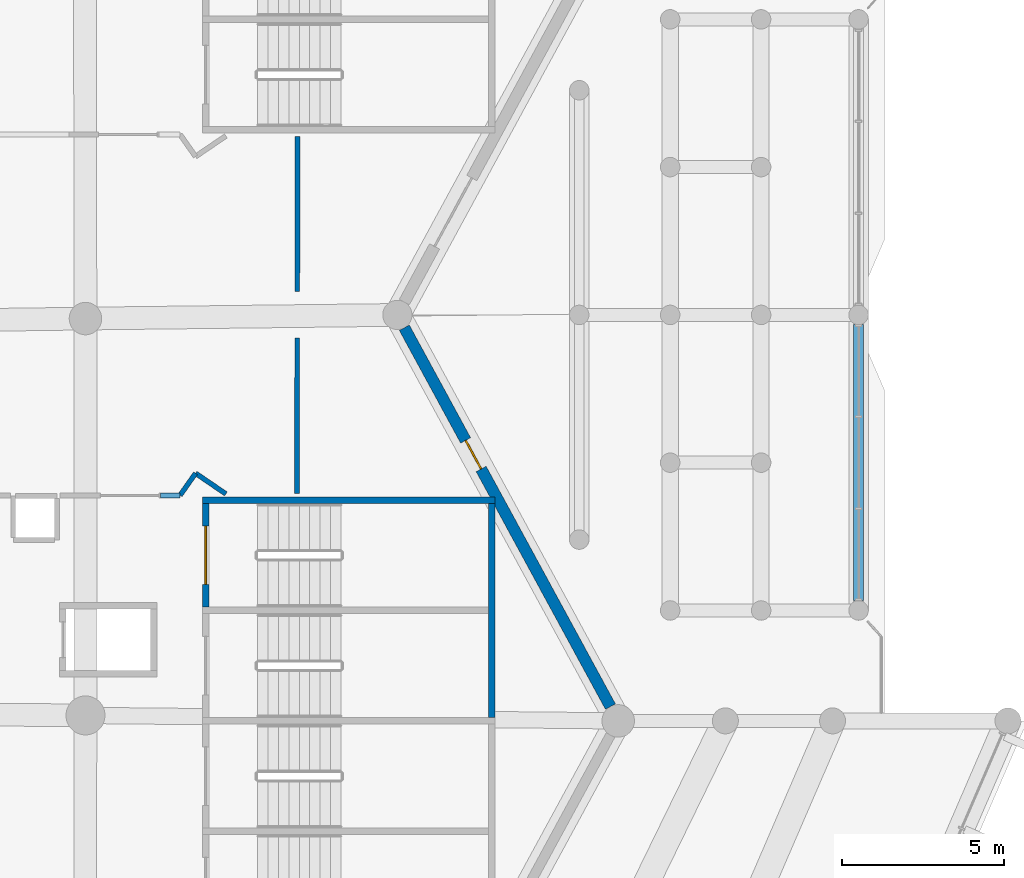
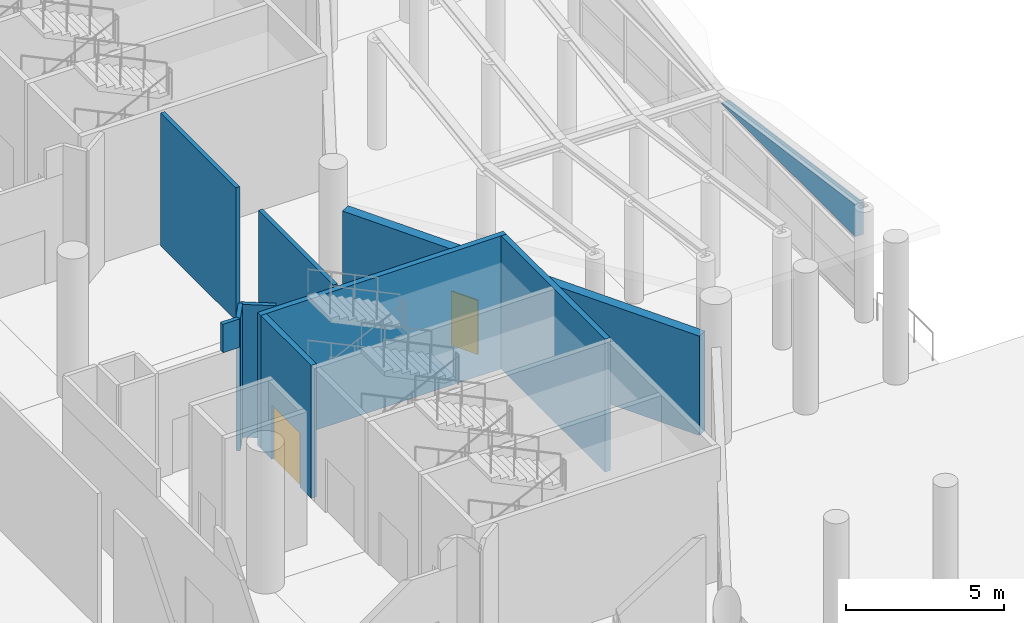
# One storey, part 179 of 271: 10 walls, 2 doors, 2 openings.
"""IFC4 building model written with IfcOpenShell, lengths in metres."""

from ifc_helpers import new_model, si_unit, direction, frame, frame_2d, origin, place, context, subcontext, project, spatial, polyline, rectangle, outline, extrude, material, layer, layer_set, type_object, element, fill, save


model = new_model("IFC4")

# Units and contexts
model_context = context("Model", 3, precision=1e-05, world=origin(), true_north=direction((0.0, 1.0)))
body_context = subcontext(model_context, "Body", "Model", "MODEL_VIEW")
ifc_project = project(units=[si_unit("LENGTHUNIT", "METRE"), si_unit("AREAUNIT", "SQUARE_METRE"), si_unit("VOLUMEUNIT", "CUBIC_METRE"), si_unit("PLANEANGLEUNIT", "RADIAN"), si_unit("MASSUNIT", "GRAM", prefix="KILO")], contexts=[model_context])

# Site, building, storey
site_placement = place(None, origin())
site = spatial("IfcSite", under=ifc_project, at=site_placement, CompositionType="ELEMENT")
building_placement = place(site_placement, origin())
building = spatial("IfcBuilding", under=site, at=building_placement, Name="Meseta Stadium", CompositionType="ELEMENT")
storey_placement = place(building_placement, frame((0.0, 0.0, 6.5)))
storey = spatial("IfcBuildingStorey", under=building, at=storey_placement, Name="L01", CompositionType="ELEMENT", Elevation=6.5)

# Walls
ifc_material_1 = material(Name="Concrete C40/50", Category="concrete")
ifc_layer_1 = layer(ifc_material_1, 0.199951171875)
ifc_layer_set_1 = layer_set([ifc_layer_1], Name="Core shaft wall 200")
wall_type_1 = type_object("IfcWallType", Name="Core shaft wall 200", PredefinedType="SHEAR", material=ifc_layer_set_1)
wall_1_placement = place(storey_placement, frame((97.60009765625, 0.550048828125, 0.0), z_axis=(0.0, 0.0, 1.0), x_axis=(-1.0, 0.0, 0.0)))
element("IfcWall", 1, at=wall_1_placement, inside=storey, type_object=wall_type_1, Name="Core 03 L01 stair wall B-side", PredefinedType="SHEAR", context=body_context, shape_type="SweptSolid", body=[
    extrude(rectangle(XDim=9.0, YDim=0.199951171875, at=frame_2d((4.5, 0.0))), origin(), (0.0, 0.0, 1.0), 5.14990234375),
])
wall_2_placement = place(storey_placement, frame((97.5, -6.14990234375, 0.0), z_axis=(0.0, 0.0, 1.0), x_axis=(0.0, 1.0, 0.0)))
element("IfcWall", 2, at=wall_2_placement, inside=storey, type_object=wall_type_1, Name="Core 03 L01 stair B outer end wall", PredefinedType="SHEAR", context=body_context, shape_type="SweptSolid", body=[
    extrude(rectangle(XDim=6.599853515625, YDim=0.199951171875, at=frame_2d((3.2998046875, 0.0))), origin(), (0.0, 0.0, 1.0), 5.14990234375),
])

# Wall, opening, door
wall_3_placement = place(storey_placement, frame((88.699951171875, -2.75, 0.0), z_axis=(0.0, 0.0, 1.0), x_axis=(0.0, 1.0, 0.0)))
wall_3 = element("IfcWall", 3, at=wall_3_placement, inside=storey, type_object=wall_type_1, Name="Core 03 L01 stair B2 inner end wall", PredefinedType="SHEAR", context=body_context, shape_type="SweptSolid", body=[
    extrude(rectangle(XDim=3.199951171875, YDim=0.199951171875, at=frame_2d((1.60009765625, 0.0))), origin(), (0.0, 0.0, 1.0), 5.14990234375),
])
opening_1_placement = place(wall_3_placement, frame((0.699951171875, 0.0, 0.0)))
opening_1 = element("IfcOpeningElement", 4, at=opening_1_placement, cuts=wall_3, Name="Opening D066", PredefinedType="OPENING", context=body_context, shape_type="SweptSolid", body=[
    extrude(rectangle(XDim=1.800048828125, YDim=2.10009765625, at=frame_2d((0.89990234375, 1.050048828125))), frame((0.0, 0.10986328125, 0.0), z_axis=(0.0, -1.0, 0.0), x_axis=(1.0, 0.0, 0.0)), (0.0, 0.0, 1.0), 0.219970703125),
])
ifc_material_2 = material(Name="Steel", Category="steel")
door_type_1 = type_object("IfcDoorType", Name="Stair door 1800x2100", OperationType="DOUBLE_DOOR_SINGLE_SWING", PredefinedType="DOOR", material=ifc_material_2)
door_1_placement = place(opening_1_placement, origin())
door_1 = element("IfcDoor", 5, at=door_1_placement, inside=storey, type_object=door_type_1, Name="Stair B2 door 03 L01", OperationType="DOUBLE_DOOR_SINGLE_SWING", OverallHeight=2.10009765625, OverallWidth=1.800048828125, PredefinedType="DOOR", context=body_context, shape_type="SweptSolid", body=[
    extrude(rectangle(XDim=1.800048828125, YDim=2.10009765625, at=frame_2d((0.89990234375, 1.050048828125))), frame((0.0, 0.02490234375, 0.0), z_axis=(0.0, -1.0, 0.0), x_axis=(1.0, 0.0, 0.0)), (0.0, 0.0, 1.0), 0.050048828125),
])
fill(opening_1, door_1)

# Walls
ifc_material_3 = material(Name="Precast concrete C40/50", Category="concrete")
ifc_layer_2 = layer(ifc_material_3, 0.300048828125)
ifc_layer_set_2 = layer_set([ifc_layer_2], Name="Gate facade panel wall 300")
wall_type_2 = type_object("IfcWallType", Name="Gate facade panel wall 300", PredefinedType="SOLIDWALL", material=ifc_layer_set_2)
wall_4_placement = place(storey_placement, frame((108.800048828125, -2.550048828125, 2.99609375), z_axis=(0.0, 0.0, 1.0), x_axis=(0.0, 1.0, 0.0)))
element("IfcWall", 6, at=wall_4_placement, inside=storey, type_object=wall_type_2, Name="Gate 1 gable panel wall", PredefinedType="SOLIDWALL", context=body_context, shape_type="SweptSolid", body=[
    extrude(outline(polyline([(0.0, 0.0), (8.5, 0.0), (8.5, 0.052001953125), (0.0, 1.241943359375), (0.0, 0.0)])), frame((0.0, 0.14990234375, 0.0), z_axis=(0.0, -1.0, 0.0), x_axis=(1.0, 0.0, 0.0)), (0.0, 0.0, 1.0), 0.300048828125),
])
ifc_material_4 = material(Name="Masonry blockwork", Category="masonry")
ifc_layer_3 = layer(ifc_material_4, 0.14990234375)
ifc_layer_set_3 = layer_set([ifc_layer_3], Name="Partition 150")
wall_type_3 = type_object("IfcWallType", Name="Partition 150", PredefinedType="PARTITIONING", material=ifc_layer_set_3)
for number, where, z_axis, x_axis, name in (
    (7, (91.51171875, 0.75, 0.0), (0.0, 0.0, 1.0), (0.001174067593, 0.999999310782, 0.0), "Partition L01 L01-cell02-2-0"),
    (8, (91.519287109375, 6.96728515625, 0.0), (0.0, 0.0, 1.0), (0.001174067593, 0.999999310782, 0.0), "Partition L01 L01-cell02-2-0"),
):
    element("IfcWall", number, at=place(storey_placement, frame(where, z_axis=z_axis, x_axis=x_axis)), inside=storey, type_object=wall_type_3, Name=name, PredefinedType="PARTITIONING", context=body_context, shape_type="SweptSolid", body=[
        extrude(rectangle(XDim=4.78271484375, YDim=0.14990234375, at=frame_2d((2.391357421875, 0.0))), origin(), (0.0, 0.0, 1.0), 5.14990234375),
    ])
wall_5_placement = place(storey_placement, frame((89.31982421875, 0.739501953125, 0.0), z_axis=(0.0, 0.0, 1.0), x_axis=(-0.826749248939, 0.562570599462, 0.0)))
element("IfcWall", 9, at=wall_5_placement, inside=storey, type_object=wall_type_3, Name="Stair vestibule wall L01 core 03", PredefinedType="PARTITIONING", context=body_context, shape_type="SweptSolid", body=[
    extrude(rectangle(XDim=1.12744140625, YDim=0.14990234375, at=frame_2d((0.563720703125, 0.0))), origin(), (0.0, 0.0, 1.0), 5.14990234375),
])
wall_6_placement = place(storey_placement, frame((88.3876953125, 1.373779296875, 0.0), z_axis=(0.0, 0.0, 1.0), x_axis=(-0.5761634622, -0.817334487726, 0.0)))
element("IfcWall", 10, at=wall_6_placement, inside=storey, type_object=wall_type_3, Name="Stair vestibule wall L01 core 03", PredefinedType="PARTITIONING", context=body_context, shape_type="SweptSolid", body=[
    extrude(rectangle(XDim=0.830078125, YDim=0.14990234375, at=frame_2d((0.4150390625, 0.0))), origin(), (0.0, 0.0, 1.0), 5.14990234375),
])
wall_7_placement = place(storey_placement, frame((87.909423828125, 0.6953125, 4.050048828125), z_axis=(0.0, 0.0, 1.0), x_axis=(-1.0, 0.0, 0.0)))
element("IfcWall", 11, at=wall_7_placement, inside=storey, type_object=wall_type_3, Name="Stair vestibule wall L01 core 03", PredefinedType="PARTITIONING", context=body_context, shape_type="SweptSolid", body=[
    extrude(rectangle(XDim=0.599853515625, YDim=0.14990234375, at=frame_2d((0.2998046875, 0.0))), origin(), (0.0, 0.0, 1.0), 1.099853515625),
])

# Wall, opening, door
ifc_material_5 = material(Name="White precast concrete C40/50", Category="concrete")
ifc_layer_4 = layer(ifc_material_5, 0.35009765625)
ifc_layer_set_4 = layer_set([ifc_layer_4], Name="Pleated panel wall 350 gate")
wall_type_4 = type_object("IfcWallType", Name="Pleated panel wall 350 gate", PredefinedType="SOLIDWALL", material=ifc_layer_set_4)
wall_8_placement = place(storey_placement, frame((94.81494140625, 5.854736328125, 0.0), z_axis=(0.0, 0.0, 1.0), x_axis=(0.477867771117, -0.878431780691, 0.0)))
wall_8 = element("IfcWall", 12, at=wall_8_placement, inside=storey, type_object=wall_type_4, Name="Pleated facade panel L01 F04", PredefinedType="SOLIDWALL", context=body_context, shape_type="SweptSolid", body=[
    extrude(rectangle(XDim=13.2802734375, YDim=0.35009765625, at=frame_2d((6.64013671875, 0.0))), origin(), (0.0, 0.0, 1.0), 3.85009765625),
])
opening_2_placement = place(wall_8_placement, frame((3.949951171875, 0.0, 0.0)))
opening_2 = element("IfcOpeningElement", 13, at=opening_2_placement, cuts=wall_8, Name="Opening D515", PredefinedType="OPENING", context=body_context, shape_type="SweptSolid", body=[
    extrude(rectangle(XDim=1.0, YDim=2.10009765625, at=frame_2d((0.5, 1.050048828125))), frame((0.0, 0.18505859375, 0.0), z_axis=(0.0, -1.0, 0.0), x_axis=(1.0, 0.0, 0.0)), (0.0, 0.0, 1.0), 0.3701171875),
])
ifc_material_6 = material(Name="Steel", Category="steel")
door_type_2 = type_object("IfcDoorType", Name="Fire door 1000x2100 EI2 60", OperationType="NOTDEFINED", PredefinedType="DOOR", material=ifc_material_6)
door_2_placement = place(opening_2_placement, origin())
door_2 = element("IfcDoor", 14, at=door_2_placement, inside=storey, type_object=door_type_2, Name="Door D515", OperationType="SINGLE_SWING_LEFT", OverallHeight=2.10009765625, OverallWidth=1.0, PredefinedType="DOOR", context=body_context, shape_type="SweptSolid", body=[
    extrude(rectangle(XDim=1.0, YDim=2.10009765625, at=frame_2d((0.5, 1.050048828125))), frame((0.0, 0.02490234375, 0.0), z_axis=(0.0, -1.0, 0.0), x_axis=(1.0, 0.0, 0.0)), (0.0, 0.0, 1.0), 0.050048828125),
])
fill(opening_2, door_2)

save(model, "model.ifc")
